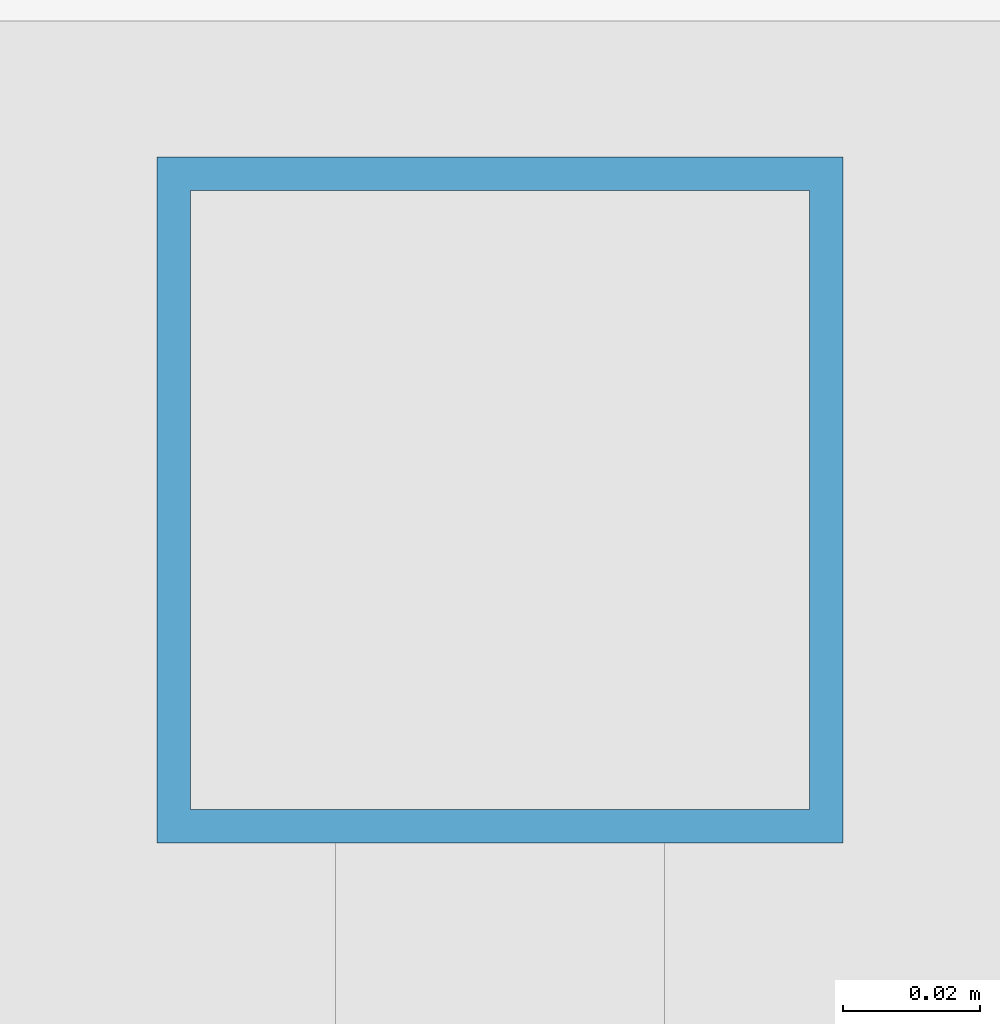
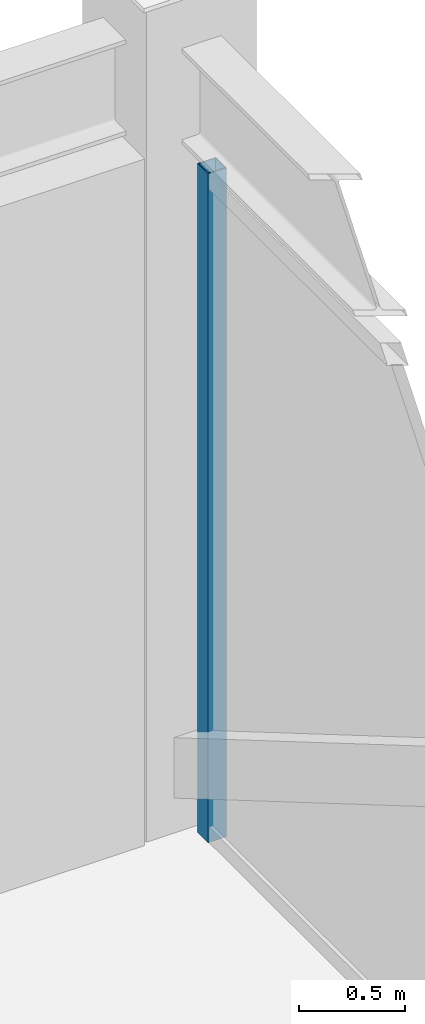
# One storey, part 20 of 27: 1 member, 1 element without a shape of its own.
"""IFC4 building model written with IfcOpenShell, lengths in metres."""

from ifc_helpers import new_model, si_unit, direction, frame, origin, origin_2d, place, context, subcontext, project, spatial, hollow_rectangle, extrude, source, transform, mapped, material, material_profile, profile_set, type_object, element, aggregate, save


model = new_model("IFC4")

# Units and contexts
model_context = context("Model", 3, precision=1e-05, world=origin(), true_north=direction((0.0, 1.0)))
body_context = subcontext(model_context, "Body", "Model", "MODEL_VIEW")
ifc_project = project(units=[si_unit("LENGTHUNIT", "METRE"), si_unit("AREAUNIT", "SQUARE_METRE"), si_unit("VOLUMEUNIT", "CUBIC_METRE"), si_unit("PLANEANGLEUNIT", "RADIAN"), si_unit("MASSUNIT", "GRAM", prefix="KILO")], contexts=[model_context])

# Site, building, storey
site_placement = place(None, origin())
site = spatial("IfcSite", under=ifc_project, at=site_placement, CompositionType="ELEMENT")
building_placement = place(site_placement, origin())
building = spatial("IfcBuilding", under=site, at=building_placement, Name="Khorayat Bourse Tower", CompositionType="ELEMENT")
storey_placement = place(building_placement, frame((0.0, 0.0, 399.5)))
storey = spatial("IfcBuildingStorey", under=building, at=storey_placement, Name="L94", CompositionType="ELEMENT", Elevation=399.5)

# Curtain wall, member
ifc_material = material(Name="Aluminium EN AW-6063 T6", Category="aluminium")
curtain_wall_type = type_object("IfcCurtainWallType", Name="CW-SYS-07", PredefinedType="NOTDEFINED", material=ifc_material)
curtain_wall_placement = place(storey_placement, origin())
curtain_wall = element("IfcCurtainWall", 1, at=curtain_wall_placement, inside=storey, type_object=curtain_wall_type, Name="L94 Curtain Wall CW-L94-E1", PredefinedType="NOTDEFINED")
ifc_material_profile = material_profile(ifc_material, hollow_rectangle(XDim=0.10009765625, YDim=0.10009765625, WallThickness=0.0048828125, at=origin_2d()), Name="ALU 100x100x5")
ifc_profile_set = profile_set([ifc_material_profile], Name="Aluminium EN AW-6063 T6")
member_type = type_object("IfcMemberType", Name="CWM-LANTERN-100", PredefinedType="MULLION", material=ifc_profile_set)
shared_shape = source(origin(), body_context, "Body", "SweptSolid", [
    extrude(hollow_rectangle(XDim=0.10009765625, YDim=0.10009765625, WallThickness=0.0048828125, at=origin_2d()), origin(), (0.0, 0.0, 1.0), 3.85009765625),
])
member_placement = place(storey_placement, frame((24.0, 17.60009765625, 0.0), z_axis=(0.0, 0.0, 1.0), x_axis=(-1.0, 0.0, 0.0)))
member = element("IfcMember", 2, at=member_placement, type_object=member_type, Name="CW-L94-E1 Vertical Mullion 3", PredefinedType="MULLION", context=body_context, shape_type="MappedRepresentation", body=[
    mapped(shared_shape, transform((0.0, 0.0, 0.0), scale=1.0)),
])
aggregate(curtain_wall, [member])

save(model, "model.ifc")
